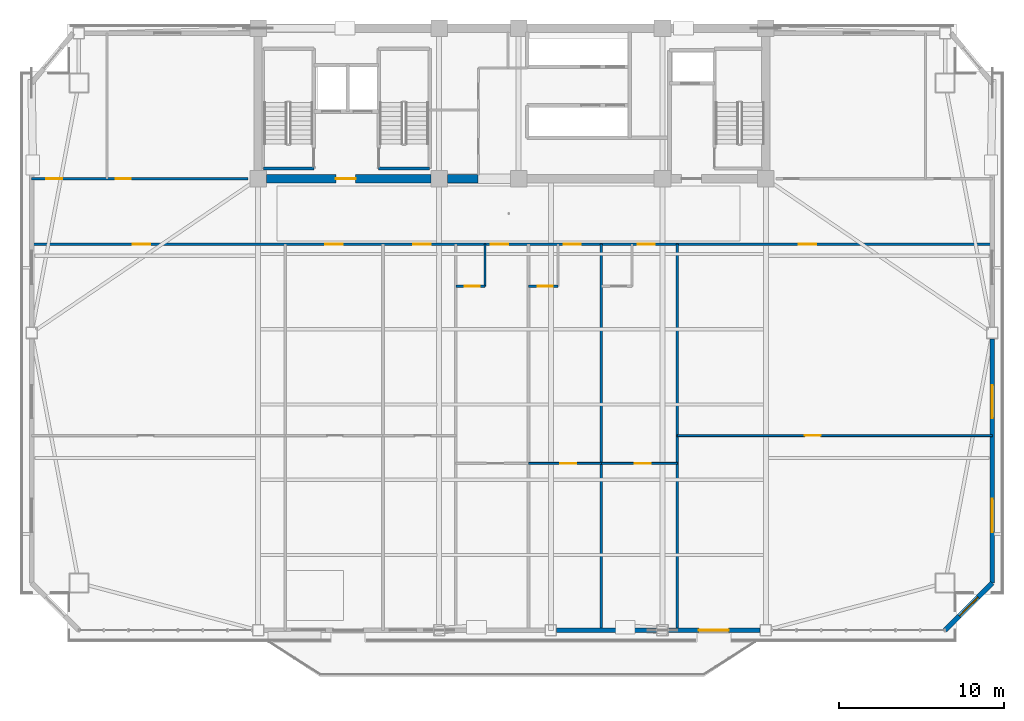
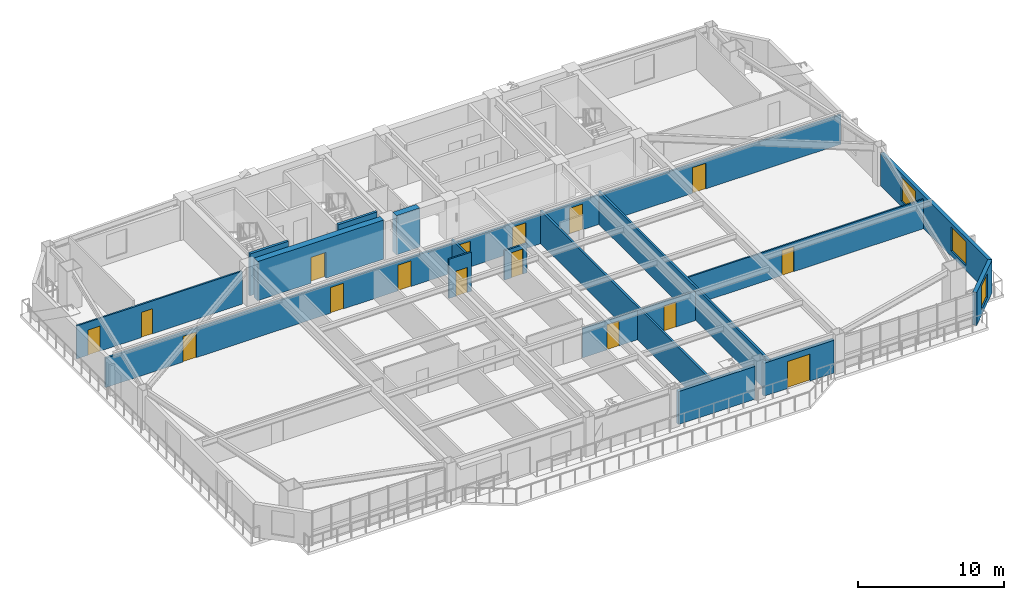
# One storey, part 8 of 15: 18 walls, 16 doors, 3 windows, 19 openings.
"""IFC4 building model written with IfcOpenShell, lengths in metres."""

import ifcopenshell
import ifcopenshell.guid

model = None  # the IFC model being written
_history = None  # IfcOwnerHistory: only IFC2X3 demands one
_inside = {}  # id of a spatial element -> (the spatial element, [elements in it])
_under = {}  # id of a project, library or spatial element -> (it, [spatial elements below it])
_declared = {}  # id of a project -> (the project, [libraries it declares])
_typed = {}  # id of a type object -> (the type object, [elements of that type])
_made_of = {}  # id of a material, layer set ... -> (it, [elements and type objects made of it])


def new_model(schema):
    """Start an empty IFC model of exactly this schema.

    Asked for "IFC4X3", IfcOpenShell would pick the latest addendum, in which some entities
    have other attributes; the version numbers below select the first issue.
    IFC2X3 requires an IfcOwnerHistory on every rooted entity: one is made here for all.
    """
    global model, _history
    if schema == "IFC4X3":
        model = ifcopenshell.file(schema_version=(4, 3, 0, 0))
    else:
        model = ifcopenshell.file(schema=schema)
    _inside.clear()
    _under.clear()
    _declared.clear()
    _typed.clear()
    _made_of.clear()
    _history = None
    if model.schema == "IFC2X3":
        org = make("IfcOrganization", Name="unknown")
        user = make(
            "IfcPersonAndOrganization",
            ThePerson=make("IfcPerson", FamilyName="unknown"),
            TheOrganization=org,
        )
        app = make(
            "IfcApplication",
            ApplicationDeveloper=org,
            Version="unknown",
            ApplicationFullName="unknown",
            ApplicationIdentifier="unknown",
        )
        _history = make(
            "IfcOwnerHistory",
            OwningUser=user,
            OwningApplication=app,
            ChangeAction="ADDED",
            CreationDate=0,
        )
    return model


def make(cls, **values):
    """One entity of the class cls with the attributes given. An attribute that is None is left unset."""
    return model.create_entity(
        cls, **{name: value for name, value in values.items() if value is not None}
    )


def rooted(cls, **values):
    """An entity with a GlobalId (a new one), such as an element, a storey or a relation."""
    return make(cls, GlobalId=ifcopenshell.guid.new(), OwnerHistory=_history, **values)


def si_unit(unit_type, name, prefix=None):
    """IfcSIUnit, for example si_unit("LENGTHUNIT", "METRE", prefix="MILLI")."""
    return make("IfcSIUnit", UnitType=unit_type, Prefix=prefix, Name=name)


def assignment(units):
    """IfcUnitAssignment: the units of a project."""
    return None if units is None else make("IfcUnitAssignment", Units=units)


def point(xyz):
    """IfcCartesianPoint."""
    return None if xyz is None else make("IfcCartesianPoint", Coordinates=xyz)


def direction(xyz):
    """IfcDirection."""
    return None if xyz is None else make("IfcDirection", DirectionRatios=xyz)


def frame(location, z_axis=None, x_axis=None):
    """IfcAxis2Placement3D, a coordinate frame: its origin and axes. An axis left out is left unset."""
    return make(
        "IfcAxis2Placement3D",
        Location=point(location),
        Axis=direction(z_axis),
        RefDirection=direction(x_axis),
    )


def frame_2d(location, x_axis=None):
    """IfcAxis2Placement2D, a coordinate frame in the plane: its origin and x axis."""
    return make(
        "IfcAxis2Placement2D", Location=point(location), RefDirection=direction(x_axis)
    )


def origin():
    """The frame at (0, 0, 0) with its axes left unset."""
    return frame((0.0, 0.0, 0.0))


def place(relative_to, where):
    """IfcLocalPlacement: puts the frame where relative to a parent placement (None: the world)."""
    return make(
        "IfcLocalPlacement", PlacementRelTo=relative_to, RelativePlacement=where
    )


def context(
    kind, dimensions, precision=None, world=None, true_north=None, identifier=None
):
    """IfcGeometricRepresentationContext, for example the 3D "Model" context."""
    return make(
        "IfcGeometricRepresentationContext",
        ContextIdentifier=identifier,
        ContextType=kind,
        CoordinateSpaceDimension=dimensions,
        Precision=precision,
        WorldCoordinateSystem=world,
        TrueNorth=true_north,
    )


def subcontext(parent, identifier, kind, view, scale=None):
    """IfcGeometricRepresentationSubContext, for example "Body" below "Model"."""
    return make(
        "IfcGeometricRepresentationSubContext",
        ContextIdentifier=identifier,
        ContextType=kind,
        ParentContext=parent,
        TargetScale=scale,
        TargetView=view,
    )


def project(units=None, contexts=None):
    """IfcProject with its units and contexts."""
    return rooted(
        "IfcProject",
        Name="project",
        RepresentationContexts=contexts,
        UnitsInContext=assignment(units),
    )


def spatial(cls, under=None, at=None, **own):
    """A site, building, storey or space (cls), placed at a placement, below another one or the project."""
    s = rooted(cls, ObjectPlacement=at, **own)
    if under is not None:
        _under.setdefault(under.id(), (under, []))[1].append(s)
    return s


def profile(cls, at=None, kind="AREA", **sizes):
    """A parametric profile (cls). Its sizes go by their IFC names, for example OverallWidth=200.0."""
    return make(cls, ProfileType=kind, Position=at, **sizes)


def rectangle(**sizes):
    """IfcRectangleProfileDef."""
    return profile("IfcRectangleProfileDef", **sizes)


def extrude(swept, where, along, depth):
    """IfcExtrudedAreaSolid: the profile swept, set in the frame where, extruded along a direction by depth."""
    return make(
        "IfcExtrudedAreaSolid",
        SweptArea=swept,
        Position=where,
        ExtrudedDirection=direction(along),
        Depth=depth,
    )


def shape(context_of_items, identifier, shape_type, items):
    """IfcShapeRepresentation: the items that make up one representation, for example the "Body"."""
    return make(
        "IfcShapeRepresentation",
        ContextOfItems=context_of_items,
        RepresentationIdentifier=identifier,
        RepresentationType=shape_type,
        Items=items,
    )


def source(mapping_origin, context_of_items, identifier, shape_type, items):
    """IfcRepresentationMap: a shape defined once, which mapped items show again and again."""
    return make(
        "IfcRepresentationMap",
        MappingOrigin=mapping_origin,
        MappedRepresentation=shape(context_of_items, identifier, shape_type, items),
    )


def transform(
    local_origin,
    x_axis=None,
    y_axis=None,
    z_axis=None,
    scale=None,
    scale2=None,
    scale3=None,
    uniform=True,
):
    """IfcCartesianTransformationOperator3D, or its non-uniform kind. x_axis, y_axis, z_axis: its Axis1, 2, 3."""
    if uniform:
        return make(
            "IfcCartesianTransformationOperator3D",
            Axis1=direction(x_axis),
            Axis2=direction(y_axis),
            LocalOrigin=point(local_origin),
            Scale=scale,
            Axis3=direction(z_axis),
        )
    return make(
        "IfcCartesianTransformationOperator3DnonUniform",
        Axis1=direction(x_axis),
        Axis2=direction(y_axis),
        LocalOrigin=point(local_origin),
        Scale=scale,
        Axis3=direction(z_axis),
        Scale2=scale2,
        Scale3=scale3,
    )


def mapped(mapping_source, mapping_target):
    """IfcMappedItem: shows the shape of a source again, moved by a transform."""
    return make(
        "IfcMappedItem", MappingSource=mapping_source, MappingTarget=mapping_target
    )


def material(Name=None, Category=None):
    """IfcMaterial."""
    return make("IfcMaterial", Name=Name, Category=Category)


def layer(
    of_material, thickness, ventilated=None, Name=None, Category=None, Priority=None
):
    """IfcMaterialLayer: one layer of a wall or slab, of a material (None: an air gap)."""
    return make(
        "IfcMaterialLayer",
        Material=of_material,
        LayerThickness=thickness,
        IsVentilated=ventilated,
        Name=Name,
        Category=Category,
        Priority=Priority,
    )


def layer_set(layers, Name=None):
    """IfcMaterialLayerSet."""
    return make("IfcMaterialLayerSet", MaterialLayers=layers, LayerSetName=Name)


def made_of(thing, what):
    """Note that an element or type object is made of a material, layer set ...; save() writes the relation."""
    if what is not None:
        _made_of.setdefault(what.id(), (what, []))[1].append(thing)
    return thing


def type_object(cls, material=None, **own):
    """A type object (cls), such as IfcWallType, which elements share."""
    return made_of(rooted(cls, **own), material)


def element(
    cls,
    number,
    at=None,
    inside=None,
    cuts=None,
    type_object=None,
    material=None,
    context=None,
    identifier="Body",
    shape_type=None,
    held_by="IfcProductDefinitionShape",
    body=None,
    shapes=None,
    **own,
):
    """One element of the class cls, such as IfcWall. Its Tag is "e" and its number.

    at: its placement. inside: the storey or other place that contains it. cuts: it is an
    opening in that element (IfcRelVoidsElement). A single representation is given by context,
    identifier, shape_type and body (its items); several are given by shapes. held_by: the class
    of the entity that holds the representations. save() writes the other relations.
    """
    e = rooted(cls, Tag="e%d" % number, ObjectPlacement=at, **own)
    if body is not None:
        shapes = [shape(context, identifier, shape_type, body)]
    if shapes is not None:
        e.Representation = make(held_by, Representations=shapes)
    if inside is not None:
        _inside.setdefault(inside.id(), (inside, []))[1].append(e)
    if cuts is not None:
        rooted(
            "IfcRelVoidsElement", RelatingBuildingElement=cuts, RelatedOpeningElement=e
        )
    if type_object is not None:
        _typed.setdefault(type_object.id(), (type_object, []))[1].append(e)
    return made_of(e, material)


def fill(opening, filler):
    """IfcRelFillsElement: the door or window that sits in an opening."""
    return rooted(
        "IfcRelFillsElement",
        RelatingOpeningElement=opening,
        RelatedBuildingElement=filler,
    )


def aggregate(whole, parts):
    """IfcRelAggregates: a whole, such as a stair, and the parts it consists of."""
    return rooted("IfcRelAggregates", RelatingObject=whole, RelatedObjects=parts)


def save(model, path):
    """Write the relations noted so far, then the file.

    IfcRelAggregates (storeys below a building ...), IfcRelContainedInSpatialStructure (elements
    in a storey), IfcRelDefinesByType, IfcRelAssociatesMaterial and IfcRelDeclares: one each for
    every whole, place, type object, material and project.
    """
    for whole, parts in _under.values():
        aggregate(whole, parts)
    for where, things in _inside.values():
        rooted(
            "IfcRelContainedInSpatialStructure",
            RelatedElements=things,
            RelatingStructure=where,
        )
    for kind, things in _typed.values():
        rooted("IfcRelDefinesByType", RelatedObjects=things, RelatingType=kind)
    for what, things in _made_of.values():
        rooted("IfcRelAssociatesMaterial", RelatedObjects=things, RelatingMaterial=what)
    for by, libraries in _declared.values():
        rooted("IfcRelDeclares", RelatingContext=by, RelatedDefinitions=libraries)
    model.write(path)


model = new_model("IFC4")

# Units and contexts
model_context = context("Model", 3, precision=1e-05, world=origin(), true_north=direction((0.0, 1.0)))
body_context = subcontext(model_context, "Body", "Model", "MODEL_VIEW")
ifc_project = project(units=[si_unit("LENGTHUNIT", "METRE"), si_unit("AREAUNIT", "SQUARE_METRE"), si_unit("VOLUMEUNIT", "CUBIC_METRE"), si_unit("PLANEANGLEUNIT", "RADIAN"), si_unit("MASSUNIT", "GRAM", prefix="KILO")], contexts=[model_context])

# Site, building, storey
site_placement = place(None, origin())
site = spatial("IfcSite", under=ifc_project, at=site_placement, CompositionType="ELEMENT")
building_placement = place(site_placement, origin())
building = spatial("IfcBuilding", under=site, at=building_placement, Name="Giltprow Tower", CompositionType="ELEMENT")
storey_placement = place(building_placement, frame((0.0, 0.0, 180.699951171875)))
storey = spatial("IfcBuildingStorey", under=building, at=storey_placement, Name="L45", CompositionType="ELEMENT", Elevation=180.699951171875)

# Wall, opening, window
ifc_material_1 = material(Name="Precast concrete C40", Category="concrete")
ifc_layer_1 = layer(ifc_material_1, 0.300048828125, Name="Precast concrete C40")
ifc_layer_set_1 = layer_set([ifc_layer_1], Name="Precast concrete C40")
wall_type_1 = type_object("IfcWallType", Name="EW-NOTCH-CHAMFER-300", PredefinedType="SOLIDWALL", material=ifc_layer_set_1)
wall_1_placement = place(storey_placement, frame((61.385986328125, 10.154052734375, 0.0), z_axis=(0.0, 0.0, 1.0), x_axis=(0.707136951076, 0.70707661001, 0.0)))
wall_1 = element("IfcWall", 1, at=wall_1_placement, inside=storey, type_object=wall_type_1, Name="L45 Corner Notch Wall SE", PredefinedType="SOLIDWALL", context=body_context, shape_type="SweptSolid", body=[
    extrude(rectangle(XDim=4.0458984375, YDim=0.300048828125, at=frame_2d((2.02294921875, 0.0))), origin(), (0.0, 0.0, 1.0), 2.75),
])
opening_1_placement = place(wall_1_placement, frame((1.222900390625, 0.0, 0.449951171875)))
opening_1 = element("IfcOpeningElement", 2, at=opening_1_placement, cuts=wall_1, Name="Opening WN17", PredefinedType="OPENING", context=body_context, shape_type="SweptSolid", body=[
    extrude(rectangle(XDim=1.60009765625, YDim=2.0, at=frame_2d((0.800048828125, 1.0))), frame((0.0, 0.159912109375, 0.0), z_axis=(0.0, -1.0, 0.0), x_axis=(1.0, 0.0, 0.0)), (0.0, 0.0, 1.0), 0.320068359375),
])
ifc_material_2 = material(Name="Insulated glass", Category="glass")
window_type_1 = type_object("IfcWindowType", Name="WN-COR-1600x2000", PartitioningType="SINGLE_PANEL", PredefinedType="WINDOW", material=ifc_material_2)
shared_shape_1 = source(origin(), body_context, "Body", "SweptSolid", [
    extrude(rectangle(XDim=1.60009765625, YDim=2.0, at=frame_2d((0.800048828125, 1.0))), frame((0.0, 0.030029296875, 0.0), z_axis=(0.0, -1.0, 0.0), x_axis=(1.0, 0.0, 0.0)), (0.0, 0.0, 1.0), 0.06005859375),
])
window_1_placement = place(opening_1_placement, origin())
window_1 = element("IfcWindow", 3, at=window_1_placement, inside=storey, type_object=window_type_1, Name="L45 Corner Notch Window SE", OverallHeight=2.0, OverallWidth=1.60009765625, PartitioningType="SINGLE_PANEL", PredefinedType="WINDOW", context=body_context, shape_type="MappedRepresentation", body=[
    mapped(shared_shape_1, transform((0.0, 0.0, 0.0), x_axis=(1.0, 0.0, 0.0), y_axis=(0.0, 1.0, 0.0), z_axis=(0.0, 0.0, 1.0), scale=1.0)),
])
fill(opening_1, window_1)

# Wall
ifc_layer_2 = layer(ifc_material_1, 0.280029296875, Name="Precast concrete C40")
ifc_layer_set_2 = layer_set([ifc_layer_2], Name="Precast concrete C40")
wall_type_2 = type_object("IfcWallType", Name="EW-TOW-BRONZE-280", PredefinedType="SOLIDWALL", material=ifc_layer_set_2)
wall_2_placement = place(storey_placement, frame((37.89990234375, 10.154052734375, 0.0), z_axis=(0.0, 0.0, 1.0), x_axis=(1.0, 0.0, 0.0)))
element("IfcWall", 4, at=wall_2_placement, inside=storey, type_object=wall_type_2, Name="L45 South Expressed Frame Wall 4", PredefinedType="SOLIDWALL", context=body_context, shape_type="SweptSolid", body=[
    extrude(rectangle(XDim=6.050048828125, YDim=0.280029296875, at=frame_2d((3.02490234375, 0.0))), origin(), (0.0, 0.0, 1.0), 2.75),
])

# Wall, opening, door
wall_3_placement = place(storey_placement, frame((44.64990234375, 10.154052734375, 0.0), z_axis=(0.0, 0.0, 1.0), x_axis=(1.0, 0.0, 0.0)))
wall_3 = element("IfcWall", 5, at=wall_3_placement, inside=storey, type_object=wall_type_2, Name="L45 South Expressed Frame Wall 5", PredefinedType="SOLIDWALL", context=body_context, shape_type="SweptSolid", body=[
    extrude(rectangle(XDim=5.550048828125, YDim=0.280029296875, at=frame_2d((2.77490234375, 0.0))), origin(), (0.0, 0.0, 1.0), 2.75),
])
opening_2_placement = place(wall_3_placement, frame((1.85009765625, 0.0, 0.0)))
opening_2 = element("IfcOpeningElement", 6, at=opening_2_placement, cuts=wall_3, Name="Opening ED25", PredefinedType="OPENING", context=body_context, shape_type="SweptSolid", body=[
    extrude(rectangle(XDim=1.800048828125, YDim=2.25, at=frame_2d((0.89990234375, 1.125))), frame((0.0, 0.14990234375, 0.0), z_axis=(0.0, -1.0, 0.0), x_axis=(1.0, 0.0, 0.0)), (0.0, 0.0, 1.0), 0.300048828125),
])
ifc_material_3 = material(Name="Anodized bronze and glass", Category="glass")
door_type_1 = type_object("IfcDoorType", Name="DR-BALC-SLIDE-1800", OperationType="SLIDING_TO_LEFT", PredefinedType="DOOR", material=ifc_material_3)
shared_shape_2 = source(origin(), body_context, "Body", "SweptSolid", [
    extrude(rectangle(XDim=1.800048828125, YDim=2.25, at=frame_2d((0.89990234375, 1.125))), frame((0.0, 0.02490234375, 0.0), z_axis=(0.0, -1.0, 0.0), x_axis=(1.0, 0.0, 0.0)), (0.0, 0.0, 1.0), 0.050048828125),
])
door_1_placement = place(opening_2_placement, origin())
door_1 = element("IfcDoor", 7, at=door_1_placement, inside=storey, type_object=door_type_1, Name="L45 Waterfront Balcony Sliding Door 2", OperationType="SLIDING_TO_LEFT", OverallHeight=2.25, OverallWidth=1.800048828125, PredefinedType="DOOR", context=body_context, shape_type="MappedRepresentation", body=[
    mapped(shared_shape_2, transform((0.0, 0.0, 0.0), x_axis=(1.0, 0.0, 0.0), y_axis=(0.0, 1.0, 0.0), z_axis=(0.0, 0.0, 1.0), scale=1.0)),
])
fill(opening_2, door_1)

# Wall, openings, windows
wall_4_placement = place(storey_placement, frame((64.2470703125, 13.014892578125, 0.0), z_axis=(0.0, 0.0, 1.0), x_axis=(0.0, 1.0, 0.0)))
wall_4 = element("IfcWall", 8, at=wall_4_placement, inside=storey, type_object=wall_type_2, Name="L45 E Wing Masonry Wall 1", PredefinedType="SOLIDWALL", context=body_context, shape_type="SweptSolid", body=[
    extrude(rectangle(XDim=14.76220703125, YDim=0.280029296875, at=frame_2d((7.381103515625, 0.0))), origin(), (0.0, 0.0, 1.0), 2.75),
])
opening_3_placement = place(wall_4_placement, frame((3.077880859375, 0.0, 0.449951171875)))
opening_3 = element("IfcOpeningElement", 9, at=opening_3_placement, cuts=wall_4, Name="Opening WN21", PredefinedType="OPENING", context=body_context, shape_type="SweptSolid", body=[
    extrude(rectangle(XDim=2.0, YDim=2.0, at=frame_2d((1.0, 1.0))), frame((0.0, 0.14990234375, 0.0), z_axis=(0.0, -1.0, 0.0), x_axis=(1.0, 0.0, 0.0)), (0.0, 0.0, 1.0), 0.300048828125),
])
opening_4_placement = place(wall_4_placement, frame((9.958984375, 0.0, 0.449951171875)))
opening_4 = element("IfcOpeningElement", 10, at=opening_4_placement, cuts=wall_4, Name="Opening WN21", PredefinedType="OPENING", context=body_context, shape_type="SweptSolid", body=[
    extrude(rectangle(XDim=2.0, YDim=2.0, at=frame_2d((1.0, 1.0))), frame((0.0, 0.14990234375, 0.0), z_axis=(0.0, -1.0, 0.0), x_axis=(1.0, 0.0, 0.0)), (0.0, 0.0, 1.0), 0.300048828125),
])
window_type_2 = type_object("IfcWindowType", Name="WN-HTL-2000x2000", PartitioningType="DOUBLE_PANEL_VERTICAL", PredefinedType="WINDOW", material=ifc_material_2)
shared_shape_3 = source(origin(), body_context, "Body", "SweptSolid", [
    extrude(rectangle(XDim=2.0, YDim=2.0, at=frame_2d((1.0, 1.0))), frame((0.0, 0.030029296875, 0.0), z_axis=(0.0, -1.0, 0.0), x_axis=(1.0, 0.0, 0.0)), (0.0, 0.0, 1.0), 0.06005859375),
])
window_2_placement = place(opening_3_placement, origin())
window_2 = element("IfcWindow", 11, at=window_2_placement, inside=storey, type_object=window_type_2, Name="L45 E Wing Window 1-1A", OverallHeight=2.0, OverallWidth=2.0, PartitioningType="SINGLE_PANEL", PredefinedType="WINDOW", context=body_context, shape_type="MappedRepresentation", body=[
    mapped(shared_shape_3, transform((0.0, 0.0, 0.0), x_axis=(1.0, 0.0, 0.0), y_axis=(0.0, 1.0, 0.0), z_axis=(0.0, 0.0, 1.0), scale=1.0)),
])
fill(opening_3, window_2)
window_3_placement = place(opening_4_placement, origin())
window_3 = element("IfcWindow", 12, at=window_3_placement, inside=storey, type_object=window_type_2, Name="L45 E Wing Window 1-1B", OverallHeight=2.0, OverallWidth=2.0, PartitioningType="SINGLE_PANEL", PredefinedType="WINDOW", context=body_context, shape_type="MappedRepresentation", body=[
    mapped(shared_shape_3, transform((0.0, 0.0, 0.0), x_axis=(1.0, 0.0, 0.0), y_axis=(0.0, 1.0, 0.0), z_axis=(0.0, 0.0, 1.0), scale=1.0)),
])
fill(opening_4, window_3)

# Wall, openings, doors
ifc_material_4 = material(Name="Gypsum stud partition", Category="gypsum")
ifc_layer_3 = layer(ifc_material_4, 0.14990234375, Name="Gypsum stud partition")
ifc_layer_set_3 = layer_set([ifc_layer_3], Name="Gypsum stud partition")
wall_type_3 = type_object("IfcWallType", Name="IW-CORR-150", PredefinedType="PARTITIONING", material=ifc_layer_set_3)
wall_5_placement = place(storey_placement, frame((6.154052734375, 33.5, 0.0), z_axis=(0.0, 0.0, 1.0), x_axis=(1.0, 0.0, 0.0)))
wall_5 = element("IfcWall", 13, at=wall_5_placement, inside=storey, type_object=wall_type_3, Name="L45 Hotel Guestroom Corridor Wall", PredefinedType="PARTITIONING", context=body_context, shape_type="SweptSolid", body=[
    extrude(rectangle(XDim=58.093017578125, YDim=0.14990234375, at=frame_2d((29.04638671875, 0.0))), origin(), (0.0, 0.0, 1.0), 2.455078125),
])
opening_5_placement = place(wall_5_placement, frame((6.125, 0.0, 0.0)))
opening_5 = element("IfcOpeningElement", 14, at=opening_5_placement, cuts=wall_5, Name="Opening ID31", PredefinedType="OPENING", context=body_context, shape_type="SweptSolid", body=[
    extrude(rectangle(XDim=1.050048828125, YDim=2.14990234375, at=frame_2d((0.52490234375, 1.074951171875))), frame((0.0, 0.0849609375, 0.0), z_axis=(0.0, -1.0, 0.0), x_axis=(1.0, 0.0, 0.0)), (0.0, 0.0, 1.0), 0.169921875),
])
opening_6_placement = place(wall_5_placement, frame((17.757080078125, 0.0, 0.0)))
opening_6 = element("IfcOpeningElement", 15, at=opening_6_placement, cuts=wall_5, Name="Opening ID31", PredefinedType="OPENING", context=body_context, shape_type="SweptSolid", body=[
    extrude(rectangle(XDim=1.050048828125, YDim=2.14990234375, at=frame_2d((0.52490234375, 1.074951171875))), frame((0.0, 0.0849609375, 0.0), z_axis=(0.0, -1.0, 0.0), x_axis=(1.0, 0.0, 0.0)), (0.0, 0.0, 1.0), 0.169921875),
])
opening_7_placement = place(wall_5_placement, frame((23.0869140625, 0.0, 0.0)))
opening_7 = element("IfcOpeningElement", 16, at=opening_7_placement, cuts=wall_5, Name="Opening ID31", PredefinedType="OPENING", context=body_context, shape_type="SweptSolid", body=[
    extrude(rectangle(XDim=1.050048828125, YDim=2.14990234375, at=frame_2d((0.52490234375, 1.074951171875))), frame((0.0, 0.0849609375, 0.0), z_axis=(0.0, -1.0, 0.0), x_axis=(1.0, 0.0, 0.0)), (0.0, 0.0, 1.0), 0.169921875),
])
opening_8_placement = place(wall_5_placement, frame((27.761962890625, 0.0, 0.0)))
opening_8 = element("IfcOpeningElement", 17, at=opening_8_placement, cuts=wall_5, Name="Opening ID31", PredefinedType="OPENING", context=body_context, shape_type="SweptSolid", body=[
    extrude(rectangle(XDim=1.050048828125, YDim=2.14990234375, at=frame_2d((0.52490234375, 1.074951171875))), frame((0.0, 0.0849609375, 0.0), z_axis=(0.0, -1.0, 0.0), x_axis=(1.0, 0.0, 0.0)), (0.0, 0.0, 1.0), 0.169921875),
])
opening_9_placement = place(wall_5_placement, frame((32.162109375, 0.0, 0.0)))
opening_9 = element("IfcOpeningElement", 18, at=opening_9_placement, cuts=wall_5, Name="Opening ID31", PredefinedType="OPENING", context=body_context, shape_type="SweptSolid", body=[
    extrude(rectangle(XDim=1.050048828125, YDim=2.14990234375, at=frame_2d((0.52490234375, 1.074951171875))), frame((0.0, 0.0849609375, 0.0), z_axis=(0.0, -1.0, 0.0), x_axis=(1.0, 0.0, 0.0)), (0.0, 0.0, 1.0), 0.169921875),
])
opening_10_placement = place(wall_5_placement, frame((36.64208984375, 0.0, 0.0)))
opening_10 = element("IfcOpeningElement", 19, at=opening_10_placement, cuts=wall_5, Name="Opening ID31", PredefinedType="OPENING", context=body_context, shape_type="SweptSolid", body=[
    extrude(rectangle(XDim=1.050048828125, YDim=2.14990234375, at=frame_2d((0.52490234375, 1.074951171875))), frame((0.0, 0.0849609375, 0.0), z_axis=(0.0, -1.0, 0.0), x_axis=(1.0, 0.0, 0.0)), (0.0, 0.0, 1.0), 0.169921875),
])
opening_11_placement = place(wall_5_placement, frame((46.376953125, 0.0, 0.0)))
opening_11 = element("IfcOpeningElement", 20, at=opening_11_placement, cuts=wall_5, Name="Opening ID31", PredefinedType="OPENING", context=body_context, shape_type="SweptSolid", body=[
    extrude(rectangle(XDim=1.050048828125, YDim=2.14990234375, at=frame_2d((0.52490234375, 1.074951171875))), frame((0.0, 0.0849609375, 0.0), z_axis=(0.0, -1.0, 0.0), x_axis=(1.0, 0.0, 0.0)), (0.0, 0.0, 1.0), 0.169921875),
])
ifc_material_5 = material(Name="Engineered timber", Category="wood")
door_type_2 = type_object("IfcDoorType", Name="DR-SUITE-1050", OperationType="SINGLE_SWING_LEFT", PredefinedType="DOOR", material=ifc_material_5)
shared_shape_4 = source(origin(), body_context, "Body", "SweptSolid", [
    extrude(rectangle(XDim=1.050048828125, YDim=2.14990234375, at=frame_2d((0.52490234375, 1.074951171875))), frame((0.0, 0.02490234375, 0.0), z_axis=(0.0, -1.0, 0.0), x_axis=(1.0, 0.0, 0.0)), (0.0, 0.0, 1.0), 0.050048828125),
])
door_2_placement = place(opening_5_placement, origin())
door_2 = element("IfcDoor", 21, at=door_2_placement, inside=storey, type_object=door_type_2, Name="L45 Suite Reception Foyer Door", OperationType="SINGLE_SWING_RIGHT", OverallHeight=2.14990234375, OverallWidth=1.050048828125, PredefinedType="DOOR", context=body_context, shape_type="MappedRepresentation", body=[
    mapped(shared_shape_4, transform((0.0, 0.0, 0.0), x_axis=(1.0, 0.0, 0.0), y_axis=(0.0, 1.0, 0.0), z_axis=(0.0, 0.0, 1.0), scale=1.0)),
])
fill(opening_5, door_2)
door_3_placement = place(opening_6_placement, origin())
door_3 = element("IfcDoor", 22, at=door_3_placement, inside=storey, type_object=door_type_2, Name="L45 Suite Reception Foyer Door", OperationType="SINGLE_SWING_RIGHT", OverallHeight=2.14990234375, OverallWidth=1.050048828125, PredefinedType="DOOR", context=body_context, shape_type="MappedRepresentation", body=[
    mapped(shared_shape_4, transform((0.0, 0.0, 0.0), x_axis=(1.0, 0.0, 0.0), y_axis=(0.0, 1.0, 0.0), z_axis=(0.0, 0.0, 1.0), scale=1.0)),
])
fill(opening_6, door_3)
door_4_placement = place(opening_7_placement, origin())
door_4 = element("IfcDoor", 23, at=door_4_placement, inside=storey, type_object=door_type_2, Name="L45 Suite Reception Foyer Door", OperationType="SINGLE_SWING_RIGHT", OverallHeight=2.14990234375, OverallWidth=1.050048828125, PredefinedType="DOOR", context=body_context, shape_type="MappedRepresentation", body=[
    mapped(shared_shape_4, transform((0.0, 0.0, 0.0), x_axis=(1.0, 0.0, 0.0), y_axis=(0.0, 1.0, 0.0), z_axis=(0.0, 0.0, 1.0), scale=1.0)),
])
fill(opening_7, door_4)
door_5_placement = place(opening_8_placement, origin())
door_5 = element("IfcDoor", 24, at=door_5_placement, inside=storey, type_object=door_type_2, Name="L45 Hotel Room 4 Entry Door", OperationType="SINGLE_SWING_RIGHT", OverallHeight=2.14990234375, OverallWidth=1.050048828125, PredefinedType="DOOR", context=body_context, shape_type="MappedRepresentation", body=[
    mapped(shared_shape_4, transform((0.0, 0.0, 0.0), x_axis=(1.0, 0.0, 0.0), y_axis=(0.0, 1.0, 0.0), z_axis=(0.0, 0.0, 1.0), scale=1.0)),
])
fill(opening_8, door_5)
door_6_placement = place(opening_9_placement, origin())
door_6 = element("IfcDoor", 25, at=door_6_placement, inside=storey, type_object=door_type_2, Name="L45 Hotel Room 5 Entry Door", OperationType="SINGLE_SWING_LEFT", OverallHeight=2.14990234375, OverallWidth=1.050048828125, PredefinedType="DOOR", context=body_context, shape_type="MappedRepresentation", body=[
    mapped(shared_shape_4, transform((0.0, 0.0, 0.0), x_axis=(1.0, 0.0, 0.0), y_axis=(0.0, 1.0, 0.0), z_axis=(0.0, 0.0, 1.0), scale=1.0)),
])
fill(opening_9, door_6)
door_7_placement = place(opening_10_placement, origin())
door_7 = element("IfcDoor", 26, at=door_7_placement, inside=storey, type_object=door_type_2, Name="L45 Hotel Room 6 Entry Door", OperationType="SINGLE_SWING_RIGHT", OverallHeight=2.14990234375, OverallWidth=1.050048828125, PredefinedType="DOOR", context=body_context, shape_type="MappedRepresentation", body=[
    mapped(shared_shape_4, transform((0.0, 0.0, 0.0), x_axis=(1.0, 0.0, 0.0), y_axis=(0.0, 1.0, 0.0), z_axis=(0.0, 0.0, 1.0), scale=1.0)),
])
fill(opening_10, door_7)
door_8_placement = place(opening_11_placement, origin())
door_8 = element("IfcDoor", 27, at=door_8_placement, inside=storey, type_object=door_type_2, Name="L45 Suite Reception Foyer Door", OperationType="SINGLE_SWING_LEFT", OverallHeight=2.14990234375, OverallWidth=1.050048828125, PredefinedType="DOOR", context=body_context, shape_type="MappedRepresentation", body=[
    mapped(shared_shape_4, transform((0.0, 0.0, 0.0), x_axis=(1.0, 0.0, 0.0), y_axis=(0.0, 1.0, 0.0), z_axis=(0.0, 0.0, 1.0), scale=1.0)),
])
fill(opening_11, door_8)

# Walls
ifc_layer_4 = layer(ifc_material_4, 0.159912109375, Name="Gypsum stud partition")
ifc_layer_set_4 = layer_set([ifc_layer_4], Name="Gypsum stud partition")
wall_type_4 = type_object("IfcWallType", Name="IW-DEMISE-160", PredefinedType="PARTITIONING", material=ifc_layer_set_4)
for number, where, z_axis, x_axis, name in (
    (28, (40.60009765625, 10.154052734375, 0.0), (0.0, 0.0, 1.0), (0.0, 1.0, 0.0), "L45 Hotel Demising Wall 5"),
    (29, (45.199951171875, 10.154052734375, 0.0), (0.0, 0.0, 1.0), (0.0, 1.0, 0.0), "L45 Hotel Demising Wall 6"),
):
    element("IfcWall", number, at=place(storey_placement, frame(where, z_axis=z_axis, x_axis=x_axis)), inside=storey, type_object=wall_type_4, Name=name, PredefinedType="PARTITIONING", context=body_context, shape_type="SweptSolid", body=[
        extrude(rectangle(XDim=23.345947265625, YDim=0.159912109375, at=frame_2d((11.6728515625, 0.0))), origin(), (0.0, 0.0, 1.0), 2.755126953125),
    ])

# Wall, opening, door
ifc_layer_5 = layer(ifc_material_4, 0.1201171875, Name="Gypsum stud partition")
ifc_layer_set_5 = layer_set([ifc_layer_5], Name="Gypsum stud partition")
wall_type_5 = type_object("IfcWallType", Name="IW-ROOM-120", PredefinedType="PARTITIONING", material=ifc_layer_set_5)
wall_6_placement = place(storey_placement, frame((36.199951171875, 20.239990234375, 0.0), z_axis=(0.0, 0.0, 1.0), x_axis=(1.0, 0.0, 0.0)))
wall_6 = element("IfcWall", 30, at=wall_6_placement, inside=storey, type_object=wall_type_5, Name="L45 Suite Parlour Divider 5", PredefinedType="PARTITIONING", context=body_context, shape_type="SweptSolid", body=[
    extrude(rectangle(XDim=4.400146484375, YDim=0.1201171875, at=frame_2d((2.2001953125, 0.0))), origin(), (0.0, 0.0, 1.0), 2.455078125),
])
opening_12_placement = place(wall_6_placement, frame((1.925048828125, 0.0, 0.0)))
opening_12 = element("IfcOpeningElement", 31, at=opening_12_placement, cuts=wall_6, Name="Opening ID11", PredefinedType="OPENING", context=body_context, shape_type="SweptSolid", body=[
    extrude(rectangle(XDim=0.949951171875, YDim=2.10009765625, at=frame_2d((0.47509765625, 1.050048828125))), frame((0.0, 0.070068359375, 0.0), z_axis=(0.0, -1.0, 0.0), x_axis=(1.0, 0.0, 0.0)), (0.0, 0.0, 1.0), 0.14013671875),
])
door_type_3 = type_object("IfcDoorType", Name="DR-ROOM-950", OperationType="SINGLE_SWING_RIGHT", PredefinedType="DOOR", material=ifc_material_5)
shared_shape_5 = source(origin(), body_context, "Body", "SweptSolid", [
    extrude(rectangle(XDim=0.949951171875, YDim=2.10009765625, at=frame_2d((0.47509765625, 1.050048828125))), frame((0.0, 0.02490234375, 0.0), z_axis=(0.0, -1.0, 0.0), x_axis=(1.0, 0.0, 0.0)), (0.0, 0.0, 1.0), 0.050048828125),
])
door_9_placement = place(opening_12_placement, origin())
door_9 = element("IfcDoor", 32, at=door_9_placement, inside=storey, type_object=door_type_3, Name="L45 Harbour Parlour 5 Door", OperationType="SINGLE_SWING_LEFT", OverallHeight=2.10009765625, OverallWidth=0.949951171875, PredefinedType="DOOR", context=body_context, shape_type="MappedRepresentation", body=[
    mapped(shared_shape_5, transform((0.0, 0.0, 0.0), x_axis=(1.0, 0.0, 0.0), y_axis=(0.0, 1.0, 0.0), z_axis=(0.0, 0.0, 1.0), scale=1.0)),
])
fill(opening_12, door_9)

wall_7_placement = place(storey_placement, frame((40.60009765625, 20.239990234375, 0.0), z_axis=(0.0, 0.0, 1.0), x_axis=(1.0, 0.0, 0.0)))
wall_7 = element("IfcWall", 33, at=wall_7_placement, inside=storey, type_object=wall_type_5, Name="L45 Suite Parlour Divider 6", PredefinedType="PARTITIONING", context=body_context, shape_type="SweptSolid", body=[
    extrude(rectangle(XDim=4.599853515625, YDim=0.1201171875, at=frame_2d((2.2998046875, 0.0))), origin(), (0.0, 0.0, 1.0), 2.455078125),
])
opening_13_placement = place(wall_7_placement, frame((2.02490234375, 0.0, 0.0)))
opening_13 = element("IfcOpeningElement", 34, at=opening_13_placement, cuts=wall_7, Name="Opening ID11", PredefinedType="OPENING", context=body_context, shape_type="SweptSolid", body=[
    extrude(rectangle(XDim=0.949951171875, YDim=2.10009765625, at=frame_2d((0.47509765625, 1.050048828125))), frame((0.0, 0.070068359375, 0.0), z_axis=(0.0, -1.0, 0.0), x_axis=(1.0, 0.0, 0.0)), (0.0, 0.0, 1.0), 0.14013671875),
])
door_10_placement = place(opening_13_placement, origin())
door_10 = element("IfcDoor", 35, at=door_10_placement, inside=storey, type_object=door_type_3, Name="L45 Harbour Parlour 6 Door", OperationType="SINGLE_SWING_RIGHT", OverallHeight=2.10009765625, OverallWidth=0.949951171875, PredefinedType="DOOR", context=body_context, shape_type="MappedRepresentation", body=[
    mapped(shared_shape_5, transform((0.0, 0.0, 0.0), x_axis=(1.0, 0.0, 0.0), y_axis=(0.0, 1.0, 0.0), z_axis=(0.0, 0.0, 1.0), scale=1.0)),
])
fill(opening_13, door_10)

wall_8_placement = place(storey_placement, frame((45.199951171875, 21.927001953125, 0.0), z_axis=(0.0, 0.0, 1.0), x_axis=(1.0, 0.0, 0.0)))
wall_8 = element("IfcWall", 36, at=wall_8_placement, inside=storey, type_object=wall_type_5, Name="L45 Amenity Mid Wall 7", PredefinedType="PARTITIONING", context=body_context, shape_type="SweptSolid", body=[
    extrude(rectangle(XDim=19.047119140625, YDim=0.1201171875, at=frame_2d((9.5234375, 0.0))), origin(), (0.0, 0.0, 1.0), 2.455078125),
])
opening_14_placement = place(wall_8_placement, frame((7.705078125, 0.0, 0.0)))
opening_14 = element("IfcOpeningElement", 37, at=opening_14_placement, cuts=wall_8, Name="Opening ID11", PredefinedType="OPENING", context=body_context, shape_type="SweptSolid", body=[
    extrude(rectangle(XDim=0.949951171875, YDim=2.10009765625, at=frame_2d((0.47509765625, 1.050048828125))), frame((0.0, 0.070068359375, 0.0), z_axis=(0.0, -1.0, 0.0), x_axis=(1.0, 0.0, 0.0)), (0.0, 0.0, 1.0), 0.14013671875),
])
door_11_placement = place(opening_14_placement, origin())
door_11 = element("IfcDoor", 38, at=door_11_placement, inside=storey, type_object=door_type_3, Name="L45 Banquet Meeting Room 4 Inner Door", OperationType="SINGLE_SWING_RIGHT", OverallHeight=2.10009765625, OverallWidth=0.949951171875, PredefinedType="DOOR", context=body_context, shape_type="MappedRepresentation", body=[
    mapped(shared_shape_5, transform((0.0, 0.0, 0.0), x_axis=(1.0, 0.0, 0.0), y_axis=(0.0, 1.0, 0.0), z_axis=(0.0, 0.0, 1.0), scale=1.0)),
])
fill(opening_14, door_11)

# Walls
ifc_material_6 = material(Name="Concrete C40", Category="concrete")
ifc_layer_6 = layer(ifc_material_6, 0.199951171875, Name="Concrete C40")
ifc_layer_set_6 = layer_set([ifc_layer_6], Name="Concrete C40")
wall_type_6 = type_object("IfcWallType", Name="IW-STAIR-200", PredefinedType="SOLIDWALL", material=ifc_layer_set_6)
wall_9_placement = place(storey_placement, frame((20.169921875, 38.070068359375, 0.0), z_axis=(0.0, 0.0, 1.0), x_axis=(1.0, 0.0, 0.0)))
element("IfcWall", 39, at=wall_9_placement, inside=storey, type_object=wall_type_6, Name="L45 Stair ST-1 South Bearing Wall", PredefinedType="SOLIDWALL", context=body_context, shape_type="SweptSolid", body=[
    extrude(rectangle(XDim=3.050048828125, YDim=0.199951171875, at=frame_2d((1.52490234375, 0.0))), origin(), (0.0, 0.0, 1.0), 3.5),
])
wall_10_placement = place(storey_placement, frame((27.139892578125, 38.070068359375, 0.0), z_axis=(0.0, 0.0, 1.0), x_axis=(1.0, 0.0, 0.0)))
element("IfcWall", 40, at=wall_10_placement, inside=storey, type_object=wall_type_6, Name="L45 Stair ST-2 South Bearing Wall", PredefinedType="SOLIDWALL", context=body_context, shape_type="SweptSolid", body=[
    extrude(rectangle(XDim=3.080078125, YDim=0.199951171875, at=frame_2d((1.5400390625, 0.0))), origin(), (0.0, 0.0, 1.0), 3.5),
])

# Wall, opening, door
ifc_material_7 = material(Name="Concrete C30", Category="concrete")
ifc_layer_7 = layer(ifc_material_7, 0.1298828125, Name="Concrete C30")
ifc_layer_set_7 = layer_set([ifc_layer_7], Name="Concrete C30")
wall_type_7 = type_object("IfcWallType", Name="IW-WET-130", PredefinedType="PARTITIONING", material=ifc_layer_set_7)
wall_11_placement = place(storey_placement, frame((31.800048828125, 30.949951171875, 0.0), z_axis=(0.0, 0.0, 1.0), x_axis=(1.0, 0.0, 0.0)))
wall_11 = element("IfcWall", 41, at=wall_11_placement, inside=storey, type_object=wall_type_7, Name="L45 En-Suite South Wall 4", PredefinedType="PARTITIONING", context=body_context, shape_type="SweptSolid", body=[
    extrude(rectangle(XDim=1.77587890625, YDim=0.1298828125, at=frame_2d((0.887939453125, 0.0))), origin(), (0.0, 0.0, 1.0), 3.27001953125),
])
opening_15_placement = place(wall_11_placement, frame((0.55810546875, 0.0, 0.0)))
opening_15 = element("IfcOpeningElement", 42, at=opening_15_placement, cuts=wall_11, Name="Opening ID15", PredefinedType="OPENING", context=body_context, shape_type="SweptSolid", body=[
    extrude(rectangle(XDim=0.89990234375, YDim=2.10009765625, at=frame_2d((0.449951171875, 1.050048828125))), frame((0.0, 0.074951171875, 0.0), z_axis=(0.0, -1.0, 0.0), x_axis=(1.0, 0.0, 0.0)), (0.0, 0.0, 1.0), 0.14990234375),
])
door_type_4 = type_object("IfcDoorType", Name="DR-WC-900", OperationType="SINGLE_SWING_LEFT", PredefinedType="DOOR", material=ifc_material_5)
shared_shape_6 = source(origin(), body_context, "Body", "SweptSolid", [
    extrude(rectangle(XDim=0.89990234375, YDim=2.10009765625, at=frame_2d((0.449951171875, 1.050048828125))), frame((0.0, 0.02490234375, 0.0), z_axis=(0.0, -1.0, 0.0), x_axis=(1.0, 0.0, 0.0)), (0.0, 0.0, 1.0), 0.050048828125),
])
door_12_placement = place(opening_15_placement, origin())
door_12 = element("IfcDoor", 43, at=door_12_placement, inside=storey, type_object=door_type_4, Name="L45 En-Suite 4 Door", OperationType="SINGLE_SWING_LEFT", OverallHeight=2.10009765625, OverallWidth=0.89990234375, PredefinedType="DOOR", context=body_context, shape_type="MappedRepresentation", body=[
    mapped(shared_shape_6, transform((0.0, 0.0, 0.0), x_axis=(1.0, 0.0, 0.0), y_axis=(0.0, 1.0, 0.0), z_axis=(0.0, 0.0, 1.0), scale=1.0)),
])
fill(opening_15, door_12)

# Wall
wall_12_placement = place(storey_placement, frame((33.575927734375, 30.949951171875, 0.0), z_axis=(0.0, 0.0, 1.0), x_axis=(0.0, 1.0, 0.0)))
element("IfcWall", 44, at=wall_12_placement, inside=storey, type_object=wall_type_7, Name="L45 En-Suite East Wall 4", PredefinedType="PARTITIONING", context=body_context, shape_type="SweptSolid", body=[
    extrude(rectangle(XDim=2.550048828125, YDim=0.1298828125, at=frame_2d((1.27490234375, 0.0))), origin(), (0.0, 0.0, 1.0), 2.804931640625),
])

# Wall, opening, door
wall_13_placement = place(storey_placement, frame((36.199951171875, 30.949951171875, 0.0), z_axis=(0.0, 0.0, 1.0), x_axis=(1.0, 0.0, 0.0)))
wall_13 = element("IfcWall", 45, at=wall_13_placement, inside=storey, type_object=wall_type_7, Name="L45 En-Suite South Wall 5", PredefinedType="PARTITIONING", context=body_context, shape_type="SweptSolid", body=[
    extrude(rectangle(XDim=1.776123046875, YDim=0.1298828125, at=frame_2d((0.88818359375, 0.0))), origin(), (0.0, 0.0, 1.0), 2.455078125),
])
opening_16_placement = place(wall_13_placement, frame((0.55810546875, 0.0, 0.0)))
opening_16 = element("IfcOpeningElement", 46, at=opening_16_placement, cuts=wall_13, Name="Opening ID15", PredefinedType="OPENING", context=body_context, shape_type="SweptSolid", body=[
    extrude(rectangle(XDim=0.89990234375, YDim=2.10009765625, at=frame_2d((0.449951171875, 1.050048828125))), frame((0.0, 0.074951171875, 0.0), z_axis=(0.0, -1.0, 0.0), x_axis=(1.0, 0.0, 0.0)), (0.0, 0.0, 1.0), 0.14990234375),
])
door_13_placement = place(opening_16_placement, origin())
door_13 = element("IfcDoor", 47, at=door_13_placement, inside=storey, type_object=door_type_4, Name="L45 En-Suite 5 Door", OperationType="SINGLE_SWING_RIGHT", OverallHeight=2.10009765625, OverallWidth=0.89990234375, PredefinedType="DOOR", context=body_context, shape_type="MappedRepresentation", body=[
    mapped(shared_shape_6, transform((0.0, 0.0, 0.0), x_axis=(1.0, 0.0, 0.0), y_axis=(0.0, 1.0, 0.0), z_axis=(0.0, 0.0, 1.0), scale=1.0)),
])
fill(opening_16, door_13)

# Wall, openings, doors
wall_14_placement = place(storey_placement, frame((6.154052734375, 37.449951171875, 0.0), z_axis=(0.0, 0.0, 1.0), x_axis=(1.0, 0.0, 0.0)))
wall_14 = element("IfcWall", 48, at=wall_14_placement, inside=storey, type_object=wall_type_7, Name="L45 NW Wing South Wall", PredefinedType="PARTITIONING", context=body_context, shape_type="SweptSolid", body=[
    extrude(rectangle(XDim=13.095947265625, YDim=0.1298828125, at=frame_2d((6.5478515625, 0.0))), origin(), (0.0, 0.0, 1.0), 2.755126953125),
])
opening_17_placement = place(wall_14_placement, frame((0.89990234375, 0.0, 0.0)))
opening_17 = element("IfcOpeningElement", 49, at=opening_17_placement, cuts=wall_14, Name="Opening ID11", PredefinedType="OPENING", context=body_context, shape_type="SweptSolid", body=[
    extrude(rectangle(XDim=0.949951171875, YDim=2.10009765625, at=frame_2d((0.47509765625, 1.050048828125))), frame((0.0, 0.074951171875, 0.0), z_axis=(0.0, -1.0, 0.0), x_axis=(1.0, 0.0, 0.0)), (0.0, 0.0, 1.0), 0.14990234375),
])
opening_18_placement = place(wall_14_placement, frame((5.10107421875, 0.0, 0.0)))
opening_18 = element("IfcOpeningElement", 50, at=opening_18_placement, cuts=wall_14, Name="Opening ID15", PredefinedType="OPENING", context=body_context, shape_type="SweptSolid", body=[
    extrude(rectangle(XDim=0.89990234375, YDim=2.10009765625, at=frame_2d((0.449951171875, 1.050048828125))), frame((0.0, 0.074951171875, 0.0), z_axis=(0.0, -1.0, 0.0), x_axis=(1.0, 0.0, 0.0)), (0.0, 0.0, 1.0), 0.14990234375),
])
door_14_placement = place(opening_18_placement, origin())
door_14 = element("IfcDoor", 51, at=door_14_placement, inside=storey, type_object=door_type_4, Name="L45 NW Washroom Door", OperationType="SINGLE_SWING_RIGHT", OverallHeight=2.10009765625, OverallWidth=0.89990234375, PredefinedType="DOOR", context=body_context, shape_type="MappedRepresentation", body=[
    mapped(shared_shape_6, transform((0.0, 0.0, 0.0), x_axis=(1.0, 0.0, 0.0), y_axis=(0.0, 1.0, 0.0), z_axis=(0.0, 0.0, 1.0), scale=1.0)),
])
fill(opening_18, door_14)
door_15_placement = place(opening_17_placement, origin())
door_15 = element("IfcDoor", 52, at=door_15_placement, inside=storey, type_object=door_type_3, Name="L45 Hotel Floor Butler Office West Door", OperationType="SINGLE_SWING_LEFT", OverallHeight=2.10009765625, OverallWidth=0.949951171875, PredefinedType="DOOR", context=body_context, shape_type="MappedRepresentation", body=[
    mapped(shared_shape_5, transform((0.0, 0.0, 0.0), x_axis=(1.0, 0.0, 0.0), y_axis=(0.0, 1.0, 0.0), z_axis=(0.0, 0.0, 1.0), scale=1.0)),
])
fill(opening_17, door_15)

# Wall, opening, door
ifc_material_8 = material(Name="Concrete C50", Category="concrete")
ifc_layer_8 = layer(ifc_material_8, 0.5, Name="Concrete C50")
ifc_layer_set_8 = layer_set([ifc_layer_8], Name="Concrete C50")
wall_type_8 = type_object("IfcWallType", Name="SW-INT-500-C50", PredefinedType="SHEAR", material=ifc_layer_set_8)
wall_15_placement = place(storey_placement, frame((20.35009765625, 37.449951171875, 0.0), z_axis=(0.0, 0.0, 1.0), x_axis=(1.0, 0.0, 0.0)))
wall_15 = element("IfcWall", 53, at=wall_15_placement, inside=storey, type_object=wall_type_8, Name="L45 South Rear Core Shear Wall West", PredefinedType="SHEAR", context=body_context, shape_type="SweptSolid", body=[
    extrude(rectangle(XDim=9.949951171875, YDim=0.5, at=frame_2d((4.97509765625, 0.0))), origin(), (0.0, 0.0, 1.0), 3.27001953125),
])
opening_19_placement = place(wall_15_placement, frame((4.199951171875, 0.0, 0.0)))
opening_19 = element("IfcOpeningElement", 54, at=opening_19_placement, cuts=wall_15, Name="Opening ID19", PredefinedType="OPENING", context=body_context, shape_type="SweptSolid", body=[
    extrude(rectangle(XDim=1.199951171875, YDim=2.14990234375, at=frame_2d((0.60009765625, 1.074951171875))), frame((0.0, 0.260009765625, 0.0), z_axis=(0.0, -1.0, 0.0), x_axis=(1.0, 0.0, 0.0)), (0.0, 0.0, 1.0), 0.52001953125),
])
ifc_material_9 = material(Name="Steel fire leaf", Category="steel")
door_type_5 = type_object("IfcDoorType", Name="DR-FFLOBBY-1200", OperationType="SINGLE_SWING_RIGHT", PredefinedType="DOOR", material=ifc_material_9)
shared_shape_7 = source(origin(), body_context, "Body", "SweptSolid", [
    extrude(rectangle(XDim=1.199951171875, YDim=2.14990234375, at=frame_2d((0.60009765625, 1.074951171875))), frame((0.0, 0.02490234375, 0.0), z_axis=(0.0, -1.0, 0.0), x_axis=(1.0, 0.0, 0.0)), (0.0, 0.0, 1.0), 0.050048828125),
])
door_16_placement = place(opening_19_placement, origin())
door_16 = element("IfcDoor", 55, at=door_16_placement, inside=storey, type_object=door_type_5, Name="L45 West Firefighting Lobby Entry Door", OperationType="SINGLE_SWING_RIGHT", OverallHeight=2.14990234375, OverallWidth=1.199951171875, PredefinedType="DOOR", context=body_context, shape_type="MappedRepresentation", body=[
    mapped(shared_shape_7, transform((0.0, 0.0, 0.0), x_axis=(1.0, 0.0, 0.0), y_axis=(0.0, 1.0, 0.0), z_axis=(0.0, 0.0, 1.0), scale=1.0)),
])
fill(opening_19, door_16)

# Wall
wall_16_placement = place(storey_placement, frame((31.300048828125, 37.449951171875, 0.0), z_axis=(0.0, 0.0, 1.0), x_axis=(1.0, 0.0, 0.0)))
element("IfcWall", 56, at=wall_16_placement, inside=storey, type_object=wall_type_8, Name="L45 South Rear Core Shear Wall Mid-West", PredefinedType="SHEAR", context=body_context, shape_type="SweptSolid", body=[
    extrude(rectangle(XDim=1.849853515625, YDim=0.5, at=frame_2d((0.9248046875, 0.0))), origin(), (0.0, 0.0, 1.0), 3.27001953125),
])

save(model, "model.ifc")
